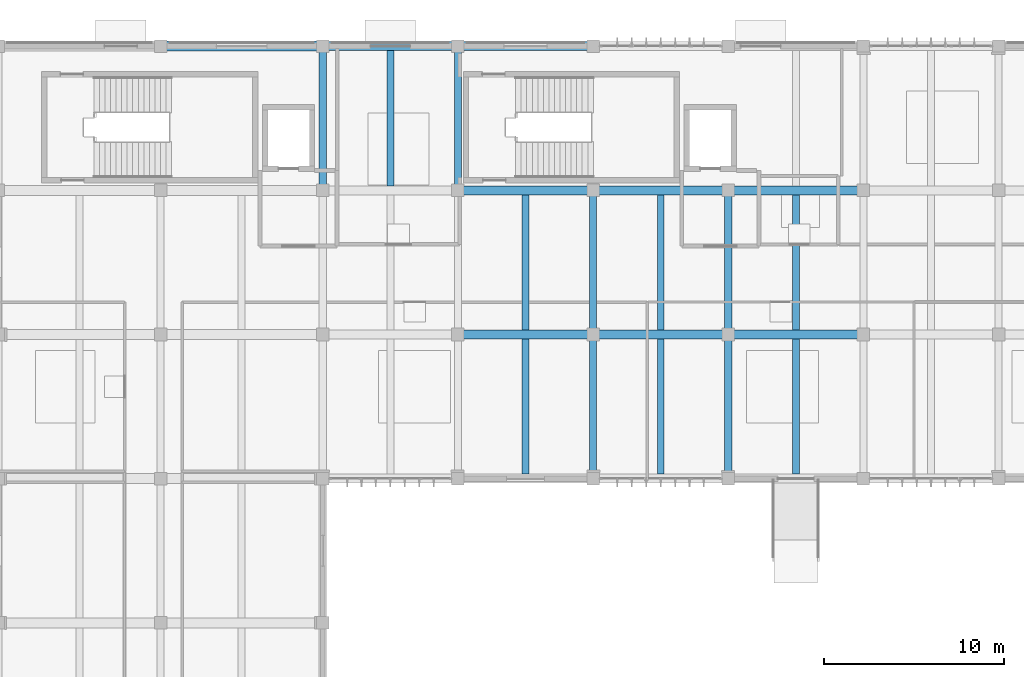
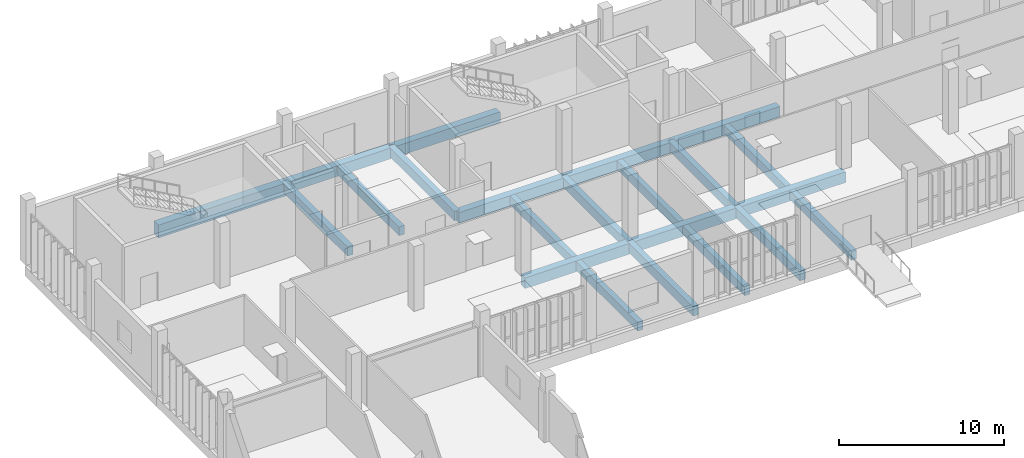
# One storey, part 14 of 72: 22 beams.
"""IFC4 building model written with IfcOpenShell, lengths in metres."""

from ifc_helpers import new_model, si_unit, direction, frame, origin, origin_2d, place, context, subcontext, project, spatial, rectangle, extrude, material, material_profile, profile_set, type_object, element, save


model = new_model("IFC4")

# Units and contexts
model_context = context("Model", 3, precision=1e-05, world=origin(), true_north=direction((0.0, 1.0)))
body_context = subcontext(model_context, "Body", "Model", "MODEL_VIEW")
ifc_project = project(units=[si_unit("LENGTHUNIT", "METRE"), si_unit("AREAUNIT", "SQUARE_METRE"), si_unit("VOLUMEUNIT", "CUBIC_METRE"), si_unit("PLANEANGLEUNIT", "RADIAN"), si_unit("MASSUNIT", "GRAM", prefix="KILO")], contexts=[model_context])

# Site, building, storey
site_placement = place(None, origin())
site = spatial("IfcSite", under=ifc_project, at=site_placement, CompositionType="ELEMENT")
building_placement = place(site_placement, origin())
building = spatial("IfcBuilding", under=site, at=building_placement, Name="Vourika Railside Aquatics Centre", CompositionType="ELEMENT")
storey_placement = place(building_placement, origin())
storey = spatial("IfcBuildingStorey", under=building, at=storey_placement, Name="L00", CompositionType="ELEMENT", Elevation=0.0)

# Beams
ifc_material_1 = material(Name="Concrete C35/45", Category="concrete")
ifc_material_profile_1 = material_profile(ifc_material_1, rectangle(XDim=0.39990234375, YDim=0.699951171875, at=origin_2d()), Name="RC 400x700")
ifc_profile_set_1 = profile_set([ifc_material_profile_1], Name="Concrete C35/45")
beam_type_1 = type_object("IfcBeamType", Name="BM-GIRD-400x700", PredefinedType="BEAM", material=ifc_profile_set_1)
for number, where, z_axis, x_axis, name in (
    (1, (36.0, 108.0, -0.669921875), (0.0, 1.0, 0.0), (-1.0, 0.0, 0.0), "Floor Girder GY-L00-220"),
    (2, (43.5, 108.0, -0.669921875), (0.0, 1.0, 0.0), (-1.0, 0.0, 0.0), "Floor Girder GY-L00-227"),
    (3, (51.0, 92.0, -0.669921875), (0.0, 1.0, 0.0), (-1.0, 0.0, 0.0), "Floor Girder GY-L00-230"),
    (4, (51.0, 100.0, -0.669921875), (0.0, 1.0, 0.0), (-1.0, 0.0, 0.0), "Floor Girder GY-L00-231"),
    (5, (58.5, 92.0, -0.669921875), (0.0, 1.0, 0.0), (-1.0, 0.0, 0.0), "Floor Girder GY-L00-236"),
    (6, (58.5, 100.0, -0.669921875), (0.0, 1.0, 0.0), (-1.0, 0.0, 0.0), "Floor Girder GY-L00-237"),
):
    element("IfcBeam", number, at=place(storey_placement, frame(where, z_axis=z_axis, x_axis=x_axis)), inside=storey, type_object=beam_type_1, Name=name, PredefinedType="BEAM", context=body_context, shape_type="SweptSolid", body=[
        extrude(rectangle(XDim=0.39990234375, YDim=0.699951171875, at=origin_2d()), origin(), (0.0, 0.0, 1.0), 8.0),
    ])
ifc_material_2 = material(Name="Concrete C40/50", Category="concrete")
ifc_material_profile_2 = material_profile(ifc_material_2, rectangle(XDim=0.550048828125, YDim=0.949951171875, at=origin_2d()), Name="RC 550x950")
ifc_profile_set_2 = profile_set([ifc_material_profile_2], Name="Concrete C40/50")
beam_type_2 = type_object("IfcBeamType", Name="BM-GIRD-550x950", PredefinedType="BEAM", material=ifc_profile_set_2)
beam_placement = place(storey_placement, frame((27.0, 116.0, -0.794921875), z_axis=(1.0, 0.0, 0.0), x_axis=(0.0, 1.0, 0.0)))
element("IfcBeam", 7, at=beam_placement, inside=storey, type_object=beam_type_2, Name="Floor Beam GX-L00-174", PredefinedType="BEAM", context=body_context, shape_type="SweptSolid", body=[
    extrude(rectangle(XDim=0.550048828125, YDim=0.949951171875, at=origin_2d()), origin(), (0.0, 0.0, 1.0), 9.0),
])
ifc_material_profile_3 = material_profile(ifc_material_1, rectangle(XDim=0.3798828125, YDim=0.64990234375, at=origin_2d()), Name="RC 380x650")
ifc_profile_set_3 = profile_set([ifc_material_profile_3], Name="Concrete C35/45")
beam_type_3 = type_object("IfcBeamType", Name="BM-SEC-380x650", PredefinedType="JOIST", material=ifc_profile_set_3)
for number, where, z_axis, x_axis, name in (
    (8, (47.25, 92.25, -0.64501953125), (0.0, 1.0, 0.0), (-1.0, 0.0, 0.0), "Secondary Joist JY-L00-437"),
    (9, (54.75, 92.25, -0.64501953125), (0.0, 1.0, 0.0), (-1.0, 0.0, 0.0), "Secondary Joist JY-L00-438"),
    (10, (62.25, 92.25, -0.64501953125), (0.0, 1.0, 0.0), (-1.0, 0.0, 0.0), "Secondary Joist JY-L00-439"),
    (11, (47.25, 100.25, -0.64501953125), (0.0, 1.0, 0.0), (-1.0, 0.0, 0.0), "Secondary Joist JY-L00-452"),
    (12, (54.75, 100.25, -0.64501953125), (0.0, 1.0, 0.0), (-1.0, 0.0, 0.0), "Secondary Joist JY-L00-453"),
    (13, (62.25, 100.25, -0.64501953125), (0.0, 1.0, 0.0), (-1.0, 0.0, 0.0), "Secondary Joist JY-L00-454"),
    (14, (39.75, 108.25, -0.64501953125), (0.0, 1.0, 0.0), (-1.0, 0.0, 0.0), "Secondary Joist JY-L00-464"),
):
    element("IfcBeam", number, at=place(storey_placement, frame(where, z_axis=z_axis, x_axis=x_axis)), inside=storey, type_object=beam_type_3, Name=name, PredefinedType="JOIST", context=body_context, shape_type="SweptSolid", body=[
        extrude(rectangle(XDim=0.3798828125, YDim=0.64990234375, at=origin_2d()), origin(), (0.0, 0.0, 1.0), 7.5),
    ])
ifc_material_profile_4 = material_profile(ifc_material_2, rectangle(XDim=0.5, YDim=0.800048828125, at=origin_2d()), Name="RC 500x800")
ifc_profile_set_4 = profile_set([ifc_material_profile_4], Name="Concrete C40/50")
beam_type_4 = type_object("IfcBeamType", Name="BM-TIE-500x800", PredefinedType="BEAM", material=ifc_profile_set_4)
for number, where, z_axis, x_axis, name in (
    (15, (43.5, 100.0, -0.719970703125), (1.0, 0.0, 0.0), (0.0, 1.0, 0.0), "Floor Beam GX-L00-146"),
    (16, (51.0, 100.0, -0.719970703125), (1.0, 0.0, 0.0), (0.0, 1.0, 0.0), "Floor Beam GX-L00-147"),
    (17, (58.5, 100.0, -0.719970703125), (1.0, 0.0, 0.0), (0.0, 1.0, 0.0), "Floor Beam GX-L00-148"),
    (18, (43.5, 108.0, -0.719970703125), (1.0, 0.0, 0.0), (0.0, 1.0, 0.0), "Floor Beam GX-L00-161"),
    (19, (51.0, 108.0, -0.719970703125), (1.0, 0.0, 0.0), (0.0, 1.0, 0.0), "Floor Beam GX-L00-162"),
    (20, (58.5, 108.0, -0.719970703125), (1.0, 0.0, 0.0), (0.0, 1.0, 0.0), "Floor Beam GX-L00-163"),
    (21, (36.0, 116.0, -0.719970703125), (1.0, 0.0, 0.0), (0.0, 1.0, 0.0), "Floor Beam GX-L00-175"),
    (22, (43.5, 116.0, -0.719970703125), (1.0, 0.0, 0.0), (0.0, 1.0, 0.0), "Floor Beam GX-L00-176"),
):
    element("IfcBeam", number, at=place(storey_placement, frame(where, z_axis=z_axis, x_axis=x_axis)), inside=storey, type_object=beam_type_4, Name=name, PredefinedType="BEAM", context=body_context, shape_type="SweptSolid", body=[
        extrude(rectangle(XDim=0.5, YDim=0.800048828125, at=origin_2d()), origin(), (0.0, 0.0, 1.0), 7.5),
    ])

save(model, "model.ifc")
